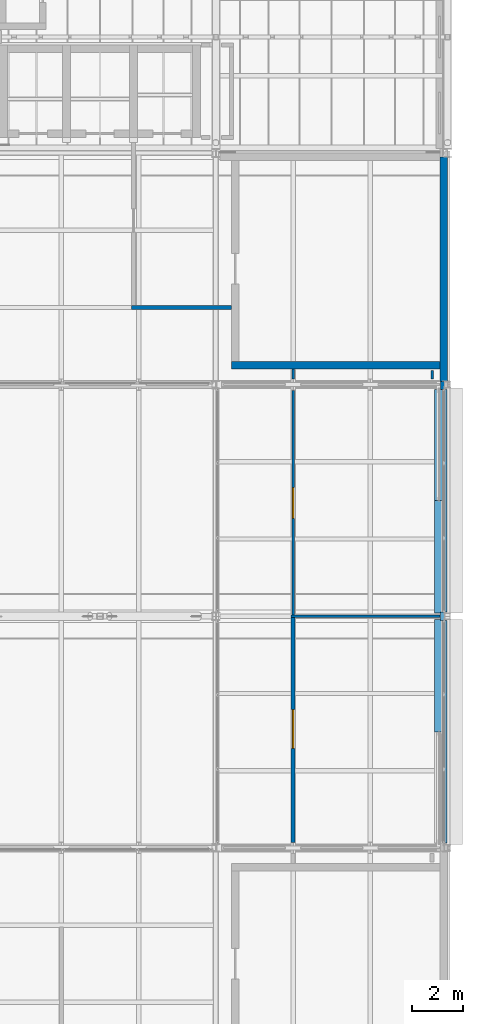
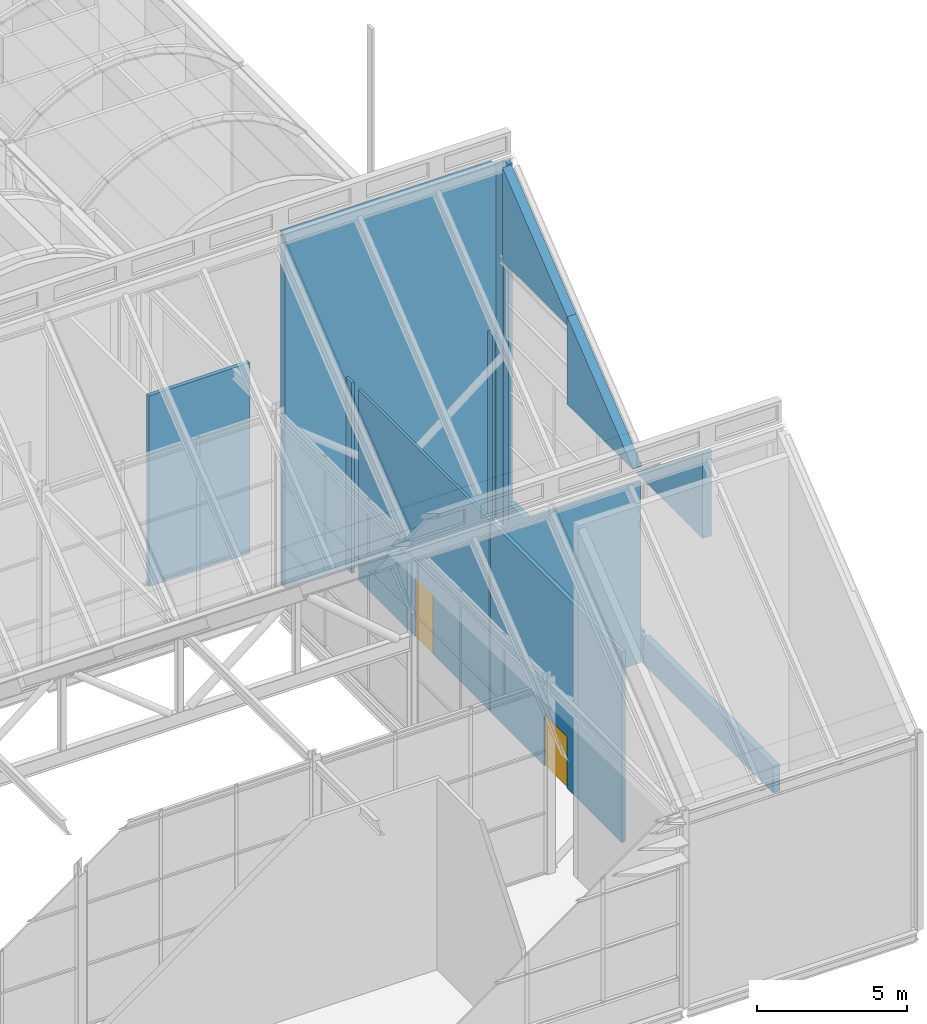
# One storey, part 127 of 144: 15 walls, 2 doors, 2 openings.
"""IFC4 building model written with IfcOpenShell, lengths in metres."""

from ifc_helpers import new_model, si_unit, direction, frame, frame_2d, origin, place, context, subcontext, project, spatial, polyline, rectangle, outline, extrude, material, layer, layer_set, type_object, element, fill, save


model = new_model("IFC4")

# Units and contexts
model_context = context("Model", 3, precision=1e-05, world=origin(), true_north=direction((0.0, 1.0)))
body_context = subcontext(model_context, "Body", "Model", "MODEL_VIEW")
ifc_project = project(units=[si_unit("LENGTHUNIT", "METRE"), si_unit("AREAUNIT", "SQUARE_METRE"), si_unit("VOLUMEUNIT", "CUBIC_METRE"), si_unit("PLANEANGLEUNIT", "RADIAN"), si_unit("MASSUNIT", "GRAM", prefix="KILO")], contexts=[model_context])

# Site, building, storey
site_placement = place(None, origin())
site = spatial("IfcSite", under=ifc_project, at=site_placement, CompositionType="ELEMENT")
building_placement = place(site_placement, origin())
building = spatial("IfcBuilding", under=site, at=building_placement, Name="Shorebreak Coast Museum", CompositionType="ELEMENT")
storey_placement = place(building_placement, frame((0.0, 0.0, 36.0)))
storey = spatial("IfcBuildingStorey", under=building, at=storey_placement, Name="L06", CompositionType="ELEMENT", Elevation=36.0)

# Walls
ifc_material_1 = material(Name="Concrete N50 (50 MPa)", Category="concrete")
ifc_layer_1 = layer(ifc_material_1, 0.14990234375)
ifc_layer_set_1 = layer_set([ifc_layer_1], Name="Concrete N50 (50 MPa)")
wall_type_1 = type_object("IfcWallType", Name="Column closure panel 150", PredefinedType="SOLIDWALL", material=ifc_layer_set_1)
wall_1_placement = place(storey_placement, frame((116.800048828125, 71.839111328125, 0.0), z_axis=(0.0, 0.0, 1.0), x_axis=(0.0, 1.0, 0.0)))
element("IfcWall", 1, at=wall_1_placement, inside=storey, type_object=wall_type_1, Name="Column closure panel L06 E 14J", PredefinedType="SOLIDWALL", context=body_context, shape_type="SweptSolid", body=[
    extrude(rectangle(XDim=0.32177734375, YDim=0.14990234375, at=frame_2d((0.160888671875, 0.0))), origin(), (0.0, 0.0, 1.0), 1.10009765625),
])
wall_2_placement = place(storey_placement, frame((116.800048828125, 80.802978515625, 0.0), z_axis=(0.0, 0.0, 1.0), x_axis=(0.0, 1.0, 0.0)))
element("IfcWall", 2, at=wall_2_placement, inside=storey, type_object=wall_type_1, Name="Column closure panel L06 E 14K", PredefinedType="SOLIDWALL", context=body_context, shape_type="SweptSolid", body=[
    extrude(rectangle(XDim=0.322021484375, YDim=0.14990234375, at=frame_2d((0.1611328125, 0.0))), origin(), (0.0, 0.0, 1.0), 14.843994140625),
])
ifc_material_2 = material(Name="Plasterboard on steel stud", Category="steel")
ifc_layer_2 = layer(ifc_material_2, 0.14990234375)
ifc_layer_set_2 = layer_set([ifc_layer_2], Name="Plasterboard on steel stud")
wall_type_2 = type_object("IfcWallType", Name="Fire partition 150", PredefinedType="PARTITIONING", material=ifc_layer_set_2)
wall_3_placement = place(storey_placement, frame((104.72509765625, 84.0, 0.0), z_axis=(0.0, 0.0, 1.0), x_axis=(1.0, 0.0, 0.0)))
element("IfcWall", 3, at=wall_3_placement, inside=storey, type_object=wall_type_2, Name="Partition L06-005", PredefinedType="PARTITIONING", context=body_context, shape_type="SweptSolid", body=[
    extrude(rectangle(XDim=3.875, YDim=0.14990234375, at=frame_2d((1.9375, 0.0))), origin(), (0.0, 0.0, 1.0), 7.743896484375),
])

# Wall, opening, door
wall_4_placement = place(storey_placement, frame((111.0, 63.219970703125, 0.0), z_axis=(0.0, 0.0, 1.0), x_axis=(0.0, 1.0, 0.0)))
wall_4 = element("IfcWall", 4, at=wall_4_placement, inside=storey, type_object=wall_type_2, Name="Partition L06-078", PredefinedType="PARTITIONING", context=body_context, shape_type="SweptSolid", body=[
    extrude(rectangle(XDim=8.72998046875, YDim=0.14990234375, at=frame_2d((4.364990234375, 0.0))), origin(), (0.0, 0.0, 1.0), 7.743896484375),
])
opening_1_placement = place(wall_4_placement, frame((3.64990234375, 0.0, 0.0)))
opening_1 = element("IfcOpeningElement", 5, at=opening_1_placement, cuts=wall_4, Name="Opening D6006", PredefinedType="OPENING", context=body_context, shape_type="SweptSolid", body=[
    extrude(rectangle(XDim=1.5, YDim=2.10009765625, at=frame_2d((0.75, 1.050048828125))), frame((0.0, 0.0849609375, 0.0), z_axis=(0.0, -1.0, 0.0), x_axis=(1.0, 0.0, 0.0)), (0.0, 0.0, 1.0), 0.169921875),
])
ifc_material_3 = material(Name="Steel", Category="steel")
door_type_1 = type_object("IfcDoorType", Name="Fire door 1500x2100 60", OperationType="DOUBLE_DOOR_SINGLE_SWING", PredefinedType="DOOR", material=ifc_material_3)
door_1_placement = place(opening_1_placement, origin())
door_1 = element("IfcDoor", 6, at=door_1_placement, inside=storey, type_object=door_type_1, Name="Door D6006 Paper Conservation Laboratory 6.02", OperationType="DOUBLE_DOOR_SINGLE_SWING", OverallHeight=2.10009765625, OverallWidth=1.5, PredefinedType="DOOR", context=body_context, shape_type="SweptSolid", body=[
    extrude(rectangle(XDim=1.5, YDim=2.10009765625, at=frame_2d((0.75, 1.050048828125))), frame((0.0, 0.02490234375, 0.0), z_axis=(0.0, -1.0, 0.0), x_axis=(1.0, 0.0, 0.0)), (0.0, 0.0, 1.0), 0.050048828125),
])
fill(opening_1, door_1)

# Walls
ifc_material_4 = material(Name="Concrete N50 (50 MPa)", Category="concrete")
ifc_layer_3 = layer(ifc_material_4, 0.35009765625)
ifc_layer_set_3 = layer_set([ifc_layer_3], Name="Concrete N50 (50 MPa)")
wall_type_3 = type_object("IfcWallType", Name="Gable crown panel 350", PredefinedType="SOLIDWALL", material=ifc_layer_set_3)
wall_5_placement = place(storey_placement, frame((116.66943359375, 67.5, 7.800048828125), z_axis=(0.0, 0.0, 1.0), x_axis=(0.0, 1.0, 0.0)))
element("IfcWall", 7, at=wall_5_placement, inside=storey, type_object=wall_type_3, Name="Gable crown wedge FOLD-X-117-1 c", PredefinedType="SOLIDWALL", context=body_context, shape_type="SweptSolid", body=[
    extrude(outline(polyline([(0.0, 0.0), (4.375, 0.0), (4.375, 0.0439453125), (0.0, 3.5439453125), (0.0, 0.0)])), frame((0.0, 0.175048828125, 0.0), z_axis=(0.0, -1.0, 0.0), x_axis=(1.0, 0.0, 0.0)), (0.0, 0.0, 1.0), 0.35009765625),
])
wall_6_placement = place(storey_placement, frame((116.66943359375, 72.125, 7.800048828125), z_axis=(0.0, 0.0, 1.0), x_axis=(0.0, 1.0, 0.0)))
element("IfcWall", 8, at=wall_6_placement, inside=storey, type_object=wall_type_3, Name="Gable crown wedge FOLD-X-117-2 a", PredefinedType="SOLIDWALL", context=body_context, shape_type="SweptSolid", body=[
    extrude(outline(polyline([(0.0, 0.0), (4.375, 0.0), (4.375, 3.5439453125), (0.0, 0.0439453125), (0.0, 0.0)])), frame((0.0, 0.175048828125, 0.0), z_axis=(0.0, -1.0, 0.0), x_axis=(1.0, 0.0, 0.0)), (0.0, 0.0, 1.0), 0.35009765625),
])
wall_7_placement = place(storey_placement, frame((116.66943359375, 76.5, 11.0), z_axis=(0.0, 0.0, 1.0), x_axis=(0.0, 1.0, 0.0)))
element("IfcWall", 9, at=wall_7_placement, inside=storey, type_object=wall_type_3, Name="Gable crown apex FOLD-X-117-2", PredefinedType="SOLIDWALL", context=body_context, shape_type="SweptSolid", body=[
    extrude(outline(polyline([(0.0, 0.0), (4.302978515625, 0.0), (4.302978515625, 3.786376953125), (0.0, 0.343994140625), (0.0, 0.0)])), frame((0.0, 0.175048828125, 0.0), z_axis=(0.0, -1.0, 0.0), x_axis=(1.0, 0.0, 0.0)), (0.0, 0.0, 1.0), 0.35009765625),
])
ifc_material_5 = material(Name="Plasterboard on steel stud", Category="steel")
ifc_layer_4 = layer(ifc_material_5, 0.10009765625)
ifc_layer_set_4 = layer_set([ifc_layer_4], Name="Plasterboard on steel stud")
wall_type_4 = type_object("IfcWallType", Name="Partition 100", PredefinedType="PARTITIONING", material=ifc_layer_set_4)
wall_8_placement = place(storey_placement, frame((110.925048828125, 72.0, 0.0), z_axis=(0.0, 0.0, 1.0), x_axis=(1.0, 0.0, 0.0)))
element("IfcWall", 10, at=wall_8_placement, inside=storey, type_object=wall_type_4, Name="Partition L06-003", PredefinedType="PARTITIONING", context=body_context, shape_type="SweptSolid", body=[
    extrude(rectangle(XDim=5.77490234375, YDim=0.10009765625, at=frame_2d((2.887451171875, 0.0))), origin(), (0.0, 0.0, 1.0), 7.3662109375),
])

# Wall, opening, door
wall_9_placement = place(storey_placement, frame((111.0, 72.050048828125, 0.0), z_axis=(0.0, 0.0, 1.0), x_axis=(0.0, 1.0, 0.0)))
wall_9 = element("IfcWall", 11, at=wall_9_placement, inside=storey, type_object=wall_type_4, Name="Partition L06-079", PredefinedType="PARTITIONING", context=body_context, shape_type="SweptSolid", body=[
    extrude(rectangle(XDim=8.72998046875, YDim=0.10009765625, at=frame_2d((4.364990234375, 0.0))), origin(), (0.0, 0.0, 1.0), 7.743896484375),
])
opening_2_placement = place(wall_9_placement, frame((3.75, 0.0, 0.0)))
opening_2 = element("IfcOpeningElement", 12, at=opening_2_placement, cuts=wall_9, Name="Opening D6007", PredefinedType="OPENING", context=body_context, shape_type="SweptSolid", body=[
    extrude(rectangle(XDim=1.199951171875, YDim=2.39990234375, at=frame_2d((0.60009765625, 1.199951171875))), frame((0.0, 0.06005859375, 0.0), z_axis=(0.0, -1.0, 0.0), x_axis=(1.0, 0.0, 0.0)), (0.0, 0.0, 1.0), 0.1201171875),
])
ifc_material_6 = material(Name="Timber", Category="wood")
door_type_2 = type_object("IfcDoorType", Name="Interior door 1200x2400", OperationType="SINGLE_SWING_LEFT", PredefinedType="DOOR", material=ifc_material_6)
door_2_placement = place(opening_2_placement, origin())
door_2 = element("IfcDoor", 13, at=door_2_placement, inside=storey, type_object=door_type_2, Name="Door D6007 Collection Study Office 6.02", OperationType="SINGLE_SWING_LEFT", OverallHeight=2.39990234375, OverallWidth=1.199951171875, PredefinedType="DOOR", context=body_context, shape_type="SweptSolid", body=[
    extrude(rectangle(XDim=1.199951171875, YDim=2.39990234375, at=frame_2d((0.60009765625, 1.199951171875))), frame((0.0, 0.02490234375, 0.0), z_axis=(0.0, -1.0, 0.0), x_axis=(1.0, 0.0, 0.0)), (0.0, 0.0, 1.0), 0.050048828125),
])
fill(opening_2, door_2)

# Walls
wall_10_placement = place(storey_placement, frame((111.0, 81.219970703125, 0.0), z_axis=(0.0, 0.0, 1.0), x_axis=(0.0, 1.0, 0.0)))
element("IfcWall", 14, at=wall_10_placement, inside=storey, type_object=wall_type_4, Name="Partition L06-080", PredefinedType="PARTITIONING", context=body_context, shape_type="SweptSolid", body=[
    extrude(rectangle(XDim=0.380126953125, YDim=0.10009765625, at=frame_2d((0.18994140625, 0.0))), origin(), (0.0, 0.0, 1.0), 7.743896484375),
])
wall_11_placement = place(storey_placement, frame((116.39990234375, 81.219970703125, 0.0), z_axis=(0.0, 0.0, 1.0), x_axis=(0.0, 1.0, 0.0)))
element("IfcWall", 15, at=wall_11_placement, inside=storey, type_object=wall_type_4, Name="Partition L06-085", PredefinedType="PARTITIONING", context=body_context, shape_type="SweptSolid", body=[
    extrude(rectangle(XDim=0.330078125, YDim=0.10009765625, at=frame_2d((0.1650390625, 0.0))), origin(), (0.0, 0.0, 1.0), 7.743896484375),
])
ifc_material_7 = material(Name="Concrete N50 (50 MPa)", Category="concrete")
ifc_layer_5 = layer(ifc_material_7, 0.25)
ifc_layer_set_5 = layer_set([ifc_layer_5], Name="Concrete N50 (50 MPa)")
wall_type_5 = type_object("IfcWallType", Name="Precast upper panel 250", PredefinedType="SOLIDWALL", material=ifc_layer_set_5)
for number, where, z_axis, x_axis, name in (
    (16, (116.85009765625, 63.197021484375, 0.0), (0.0, 0.0, 1.0), (0.0, 1.0, 0.0), "External wall L06 E 14H"),
    (17, (116.85009765625, 72.160888671875, 0.0), (0.0, 0.0, 1.0), (0.0, 1.0, 0.0), "External wall L06 E 14J"),
):
    element("IfcWall", number, at=place(storey_placement, frame(where, z_axis=z_axis, x_axis=x_axis)), inside=storey, type_object=wall_type_5, Name=name, PredefinedType="SOLIDWALL", context=body_context, shape_type="SweptSolid", body=[
        extrude(rectangle(XDim=8.64208984375, YDim=0.25, at=frame_2d((4.321044921875, 0.0))), origin(), (0.0, 0.0, 1.0), 1.10009765625),
    ])
ifc_material_8 = material(Name="Concrete N50 (50 MPa)", Category="concrete")
ifc_layer_6 = layer(ifc_material_8, 0.300048828125)
ifc_layer_set_6 = layer_set([ifc_layer_6], Name="Concrete N50 (50 MPa)")
wall_type_6 = type_object("IfcWallType", Name="RC wall 300", PredefinedType="SHEAR", material=ifc_layer_set_6)
wall_12_placement = place(storey_placement, frame((108.60009765625, 81.75, 0.0), z_axis=(0.0, 0.0, 1.0), x_axis=(1.0, 0.0, 0.0)))
element("IfcWall", 18, at=wall_12_placement, inside=storey, type_object=wall_type_6, Name="Stair core wall ST04 L06 S", PredefinedType="SHEAR", context=body_context, shape_type="SweptSolid", body=[
    extrude(rectangle(XDim=8.099853515625, YDim=0.300048828125, at=frame_2d((4.0498046875, 0.0))), origin(), (0.0, 0.0, 1.0), 14.343994140625),
])
wall_13_placement = place(storey_placement, frame((116.85009765625, 81.125, 0.0), z_axis=(0.0, 0.0, 1.0), x_axis=(0.0, 1.0, 0.0)))
element("IfcWall", 19, at=wall_13_placement, inside=storey, type_object=wall_type_6, Name="Stair core wall ST04 L06 E", PredefinedType="SHEAR", context=body_context, shape_type="SweptSolid", body=[
    extrude(outline(polyline([(0.0, 0.0), (8.71142578125, 0.0), (8.71142578125, 7.874755859375), (0.0, 14.843994140625), (0.0, 0.0)])), frame((0.0, 0.14990234375, 0.0), z_axis=(0.0, -1.0, 0.0), x_axis=(1.0, 0.0, 0.0)), (0.0, 0.0, 1.0), 0.300048828125),
])

save(model, "model.ifc")
